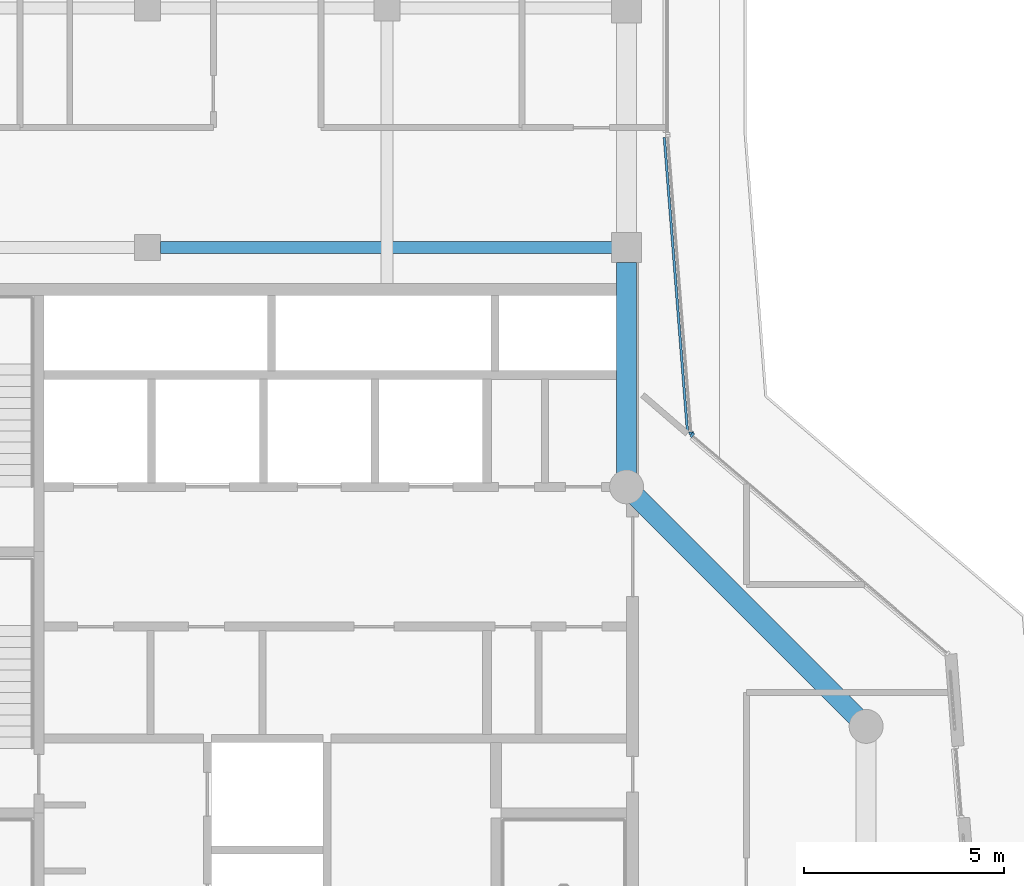
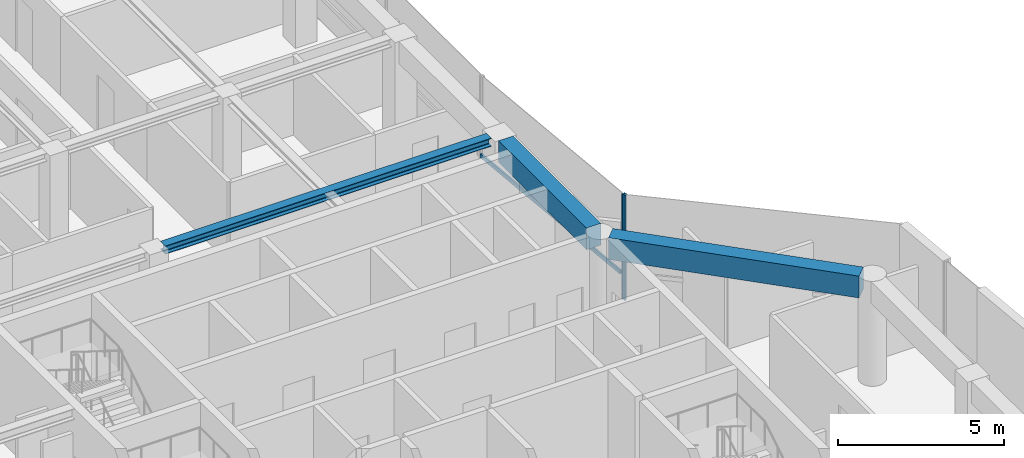
# One storey, part 5 of 23: 3 beams, 3 members, 2 elements without a shape of their own.
"""IFC4 building model written with IfcOpenShell, lengths in metres."""

from ifc_helpers import new_model, si_unit, direction, frame, origin, origin_2d, place, context, subcontext, project, spatial, rectangle, i_section, extrude, material, layer, layer_set, material_profile, profile_set, type_object, element, aggregate, save


model = new_model("IFC4")

# Units and contexts
model_context = context("Model", 3, precision=1e-05, world=origin(), true_north=direction((0.0, 1.0)))
body_context = subcontext(model_context, "Body", "Model", "MODEL_VIEW")
ifc_project = project(units=[si_unit("LENGTHUNIT", "METRE"), si_unit("AREAUNIT", "SQUARE_METRE"), si_unit("VOLUMEUNIT", "CUBIC_METRE"), si_unit("PLANEANGLEUNIT", "RADIAN"), si_unit("MASSUNIT", "GRAM", prefix="KILO")], contexts=[model_context])

# Site, building, storey
site_placement = place(None, origin())
site = spatial("IfcSite", under=ifc_project, at=site_placement, CompositionType="ELEMENT")
building_placement = place(site_placement, origin())
building = spatial("IfcBuilding", under=site, at=building_placement, Name="Welwitschia Terrace Campus", CompositionType="ELEMENT")
storey_placement = place(building_placement, frame((0.0, 0.0, 306.199951171875)))
storey = spatial("IfcBuildingStorey", under=building, at=storey_placement, Name="L68", CompositionType="ELEMENT", Elevation=306.199951171875)

# Beam
ifc_material_1 = material(Name="Steel S355", Category="steel")
ifc_material_profile_1 = material_profile(ifc_material_1, i_section(OverallWidth=0.300048828125, OverallDepth=0.300048828125, WebThickness=0.010986328125, FlangeThickness=0.01904296875, FilletRadius=0.027099609375, at=origin_2d()))
ifc_profile_set_1 = profile_set([ifc_material_profile_1], Name="Steel S355")
beam_type_1 = type_object("IfcBeamType", Name="Interior girder HE 300 B", PredefinedType="BEAM", material=ifc_profile_set_1)
beam_1_placement = place(storey_placement, frame((12.325439453125, 26.0, 3.699951171875), z_axis=(1.0, 0.0, 0.0), x_axis=(0.0, 1.0, 0.0)))
element("IfcBeam", 1, at=beam_1_placement, inside=storey, type_object=beam_type_1, Name="Girder GB6", PredefinedType="BEAM", context=body_context, shape_type="SweptSolid", body=[
    extrude(i_section(OverallWidth=0.300048828125, OverallDepth=0.300048828125, WebThickness=0.010986328125, FlangeThickness=0.01904296875, FilletRadius=0.027099609375, at=origin_2d()), origin(), (0.0, 0.0, 1.0), 11.30908203125),
])

# Curtain wall, member
ifc_material_2 = material(Name="Bronze anodised aluminium", Category="aluminium")
ifc_layer = layer(ifc_material_2, 0.1201171875)
ifc_layer_set = layer_set([ifc_layer], Name="Bronze anodised aluminium")
curtain_wall_type = type_object("IfcCurtainWallType", Name="Curtain wall CW2 tower 6000", PredefinedType="NOTDEFINED", material=ifc_layer_set)
curtain_wall_1_placement = place(storey_placement, origin())
curtain_wall_1 = element("IfcCurtainWall", 2, at=curtain_wall_1_placement, inside=storey, type_object=curtain_wall_type, Name="CW L68.5.0", PredefinedType="NOTDEFINED")
ifc_material_3 = material(Name="Bronze anodised aluminium", Category="aluminium")
ifc_material_profile_2 = material_profile(ifc_material_3, rectangle(XDim=0.1201171875, YDim=0.06005859375, at=origin_2d()))
ifc_profile_set_2 = profile_set([ifc_material_profile_2], Name="Bronze anodised aluminium")
member_type_1 = type_object("IfcMemberType", Name="Mullion 60x120", PredefinedType="MULLION", material=ifc_profile_set_2)
member_1_placement = place(storey_placement, frame((25.643310546875, 21.29931640625, 0.0), z_axis=(0.0, 0.0, 1.0), x_axis=(-0.64944804833, -0.7604059656, 0.0)))
member_1 = element("IfcMember", 3, at=member_1_placement, type_object=member_type_1, Name="Mullion L68.5.0.1", PredefinedType="MULLION", context=body_context, shape_type="SweptSolid", body=[
    extrude(rectangle(XDim=0.1201171875, YDim=0.06005859375, at=origin_2d()), origin(), (0.0, 0.0, 1.0), 3.85009765625),
])
aggregate(curtain_wall_1, [member_1])

curtain_wall_2_placement = place(storey_placement, origin())
curtain_wall_2 = element("IfcCurtainWall", 4, at=curtain_wall_2_placement, inside=storey, type_object=curtain_wall_type, Name="CW L68.6.0", PredefinedType="NOTDEFINED")
member_2_placement = place(storey_placement, frame((25.6181640625, 21.3486328125, 0.0), z_axis=(0.0, 0.0, 1.0), x_axis=(-0.996917333733, -0.078459095728, 0.0)))
member_2 = element("IfcMember", 5, at=member_2_placement, type_object=member_type_1, Name="Mullion L68.6.0.0", PredefinedType="MULLION", context=body_context, shape_type="SweptSolid", body=[
    extrude(rectangle(XDim=0.1201171875, YDim=0.06005859375, at=origin_2d()), origin(), (0.0, 0.0, 1.0), 3.85009765625),
])

# Beams
ifc_material_4 = material(Name="Concrete C50/60", Category="concrete")
ifc_material_profile_3 = material_profile(ifc_material_4, rectangle(XDim=0.5, YDim=0.800048828125, at=origin_2d()))
ifc_profile_set_3 = profile_set([ifc_material_profile_3], Name="Concrete C50/60")
beam_type_2 = type_object("IfcBeamType", Name="Ring spandrel 500x800", PredefinedType="SPANDREL", material=ifc_profile_set_3)
beam_2_placement = place(storey_placement, frame((29.75634765625, 14.24365234375, 3.449951171875), z_axis=(-0.707106781187, 0.707106781187, 0.0), x_axis=(-0.707106781187, -0.707106781187, 0.0)))
element("IfcBeam", 6, at=beam_2_placement, inside=storey, type_object=beam_type_2, Name="Spandrel SP4", PredefinedType="SPANDREL", context=body_context, shape_type="SweptSolid", body=[
    extrude(rectangle(XDim=0.5, YDim=0.800048828125, at=origin_2d()), origin(), (0.0, 0.0, 1.0), 7.796142578125),
])
beam_3_placement = place(storey_placement, frame((24.0, 20.344482421875, 3.449951171875), z_axis=(0.0, 1.0, 0.0), x_axis=(-1.0, 0.0, 0.0)))
element("IfcBeam", 7, at=beam_3_placement, inside=storey, type_object=beam_type_2, Name="Spandrel SP4", PredefinedType="SPANDREL", context=body_context, shape_type="SweptSolid", body=[
    extrude(rectangle(XDim=0.5, YDim=0.800048828125, at=origin_2d()), origin(), (0.0, 0.0, 1.0), 5.280029296875),
])

# Member
ifc_material_5 = material(Name="Bronze anodised aluminium", Category="aluminium")
ifc_material_profile_4 = material_profile(ifc_material_5, rectangle(XDim=0.06005859375, YDim=0.14990234375, at=origin_2d()))
ifc_profile_set_4 = profile_set([ifc_material_profile_4], Name="Bronze anodised aluminium")
member_type_2 = type_object("IfcMemberType", Name="Transom 60x150", PredefinedType="USERDEFINED", material=ifc_profile_set_4)
member_3_placement = place(storey_placement, frame((25.526123046875, 21.371337890625, 1.0), z_axis=(-0.0784456054, 0.996918395353, 0.0), x_axis=(-0.996918395353, -0.0784456054, 0.0)))
member_3 = element("IfcMember", 8, at=member_3_placement, type_object=member_type_2, Name="Transom L68.6.0", ObjectType="TRANSOM", PredefinedType="USERDEFINED", context=body_context, shape_type="SweptSolid", body=[
    extrude(rectangle(XDim=0.06005859375, YDim=0.14990234375, at=origin_2d()), origin(), (0.0, 0.0, 1.0), 7.406982421875),
])

aggregate(curtain_wall_2, [member_2, member_3])

save(model, "model.ifc")
